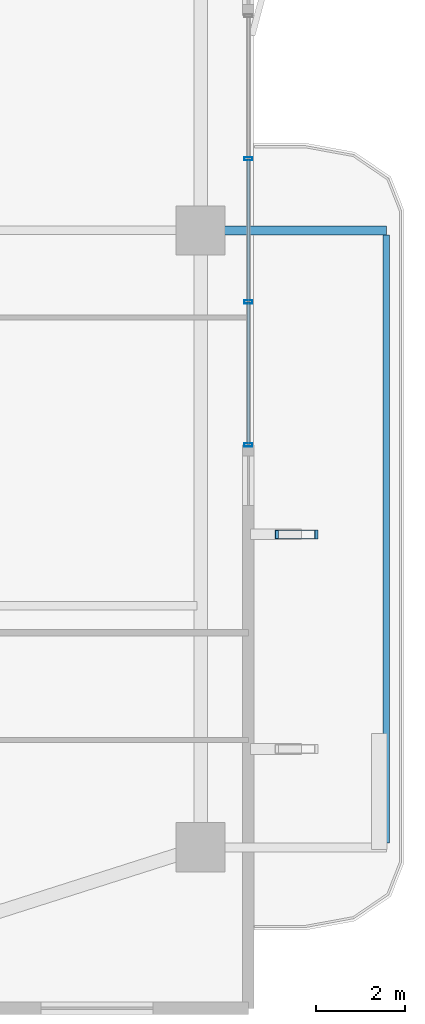
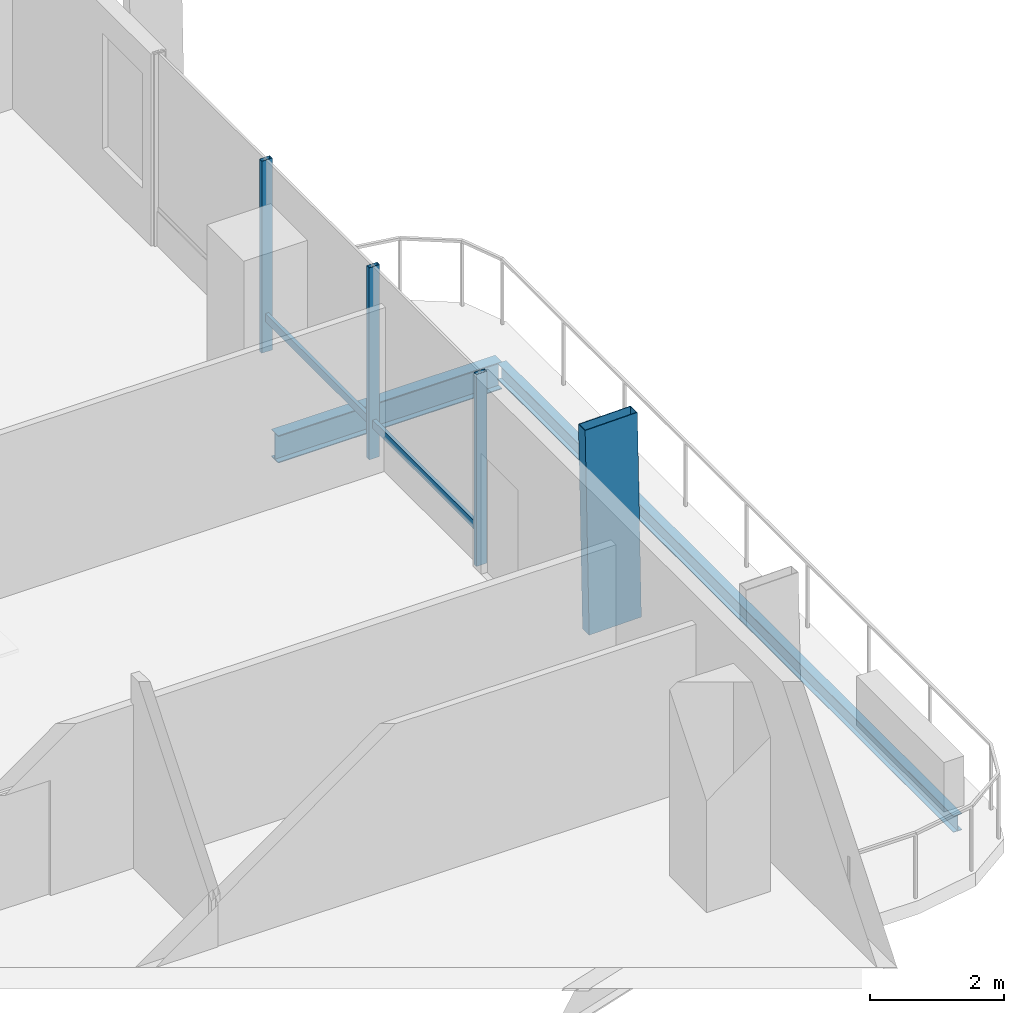
# One storey, part 10 of 25: 6 members, 2 beams, 1 element without a shape of its own.
"""IFC4 building model written with IfcOpenShell, lengths in metres."""

import ifcopenshell
import ifcopenshell.guid

model = None  # the IFC model being written
_history = None  # IfcOwnerHistory: only IFC2X3 demands one
_inside = {}  # id of a spatial element -> (the spatial element, [elements in it])
_under = {}  # id of a project, library or spatial element -> (it, [spatial elements below it])
_declared = {}  # id of a project -> (the project, [libraries it declares])
_typed = {}  # id of a type object -> (the type object, [elements of that type])
_made_of = {}  # id of a material, layer set ... -> (it, [elements and type objects made of it])


def new_model(schema):
    """Start an empty IFC model of exactly this schema.

    Asked for "IFC4X3", IfcOpenShell would pick the latest addendum, in which some entities
    have other attributes; the version numbers below select the first issue.
    IFC2X3 requires an IfcOwnerHistory on every rooted entity: one is made here for all.
    """
    global model, _history
    if schema == "IFC4X3":
        model = ifcopenshell.file(schema_version=(4, 3, 0, 0))
    else:
        model = ifcopenshell.file(schema=schema)
    _inside.clear()
    _under.clear()
    _declared.clear()
    _typed.clear()
    _made_of.clear()
    _history = None
    if model.schema == "IFC2X3":
        org = make("IfcOrganization", Name="unknown")
        user = make(
            "IfcPersonAndOrganization",
            ThePerson=make("IfcPerson", FamilyName="unknown"),
            TheOrganization=org,
        )
        app = make(
            "IfcApplication",
            ApplicationDeveloper=org,
            Version="unknown",
            ApplicationFullName="unknown",
            ApplicationIdentifier="unknown",
        )
        _history = make(
            "IfcOwnerHistory",
            OwningUser=user,
            OwningApplication=app,
            ChangeAction="ADDED",
            CreationDate=0,
        )
    return model


def make(cls, **values):
    """One entity of the class cls with the attributes given. An attribute that is None is left unset."""
    return model.create_entity(
        cls, **{name: value for name, value in values.items() if value is not None}
    )


def rooted(cls, **values):
    """An entity with a GlobalId (a new one), such as an element, a storey or a relation."""
    return make(cls, GlobalId=ifcopenshell.guid.new(), OwnerHistory=_history, **values)


def si_unit(unit_type, name, prefix=None):
    """IfcSIUnit, for example si_unit("LENGTHUNIT", "METRE", prefix="MILLI")."""
    return make("IfcSIUnit", UnitType=unit_type, Prefix=prefix, Name=name)


def assignment(units):
    """IfcUnitAssignment: the units of a project."""
    return None if units is None else make("IfcUnitAssignment", Units=units)


def point(xyz):
    """IfcCartesianPoint."""
    return None if xyz is None else make("IfcCartesianPoint", Coordinates=xyz)


def direction(xyz):
    """IfcDirection."""
    return None if xyz is None else make("IfcDirection", DirectionRatios=xyz)


def frame(location, z_axis=None, x_axis=None):
    """IfcAxis2Placement3D, a coordinate frame: its origin and axes. An axis left out is left unset."""
    return make(
        "IfcAxis2Placement3D",
        Location=point(location),
        Axis=direction(z_axis),
        RefDirection=direction(x_axis),
    )


def frame_2d(location, x_axis=None):
    """IfcAxis2Placement2D, a coordinate frame in the plane: its origin and x axis."""
    return make(
        "IfcAxis2Placement2D", Location=point(location), RefDirection=direction(x_axis)
    )


def origin():
    """The frame at (0, 0, 0) with its axes left unset."""
    return frame((0.0, 0.0, 0.0))


def origin_2d():
    """The frame at (0, 0) in the plane with its x axis left unset."""
    return frame_2d((0.0, 0.0))


def place(relative_to, where):
    """IfcLocalPlacement: puts the frame where relative to a parent placement (None: the world)."""
    return make(
        "IfcLocalPlacement", PlacementRelTo=relative_to, RelativePlacement=where
    )


def context(
    kind, dimensions, precision=None, world=None, true_north=None, identifier=None
):
    """IfcGeometricRepresentationContext, for example the 3D "Model" context."""
    return make(
        "IfcGeometricRepresentationContext",
        ContextIdentifier=identifier,
        ContextType=kind,
        CoordinateSpaceDimension=dimensions,
        Precision=precision,
        WorldCoordinateSystem=world,
        TrueNorth=true_north,
    )


def subcontext(parent, identifier, kind, view, scale=None):
    """IfcGeometricRepresentationSubContext, for example "Body" below "Model"."""
    return make(
        "IfcGeometricRepresentationSubContext",
        ContextIdentifier=identifier,
        ContextType=kind,
        ParentContext=parent,
        TargetScale=scale,
        TargetView=view,
    )


def project(units=None, contexts=None):
    """IfcProject with its units and contexts."""
    return rooted(
        "IfcProject",
        Name="project",
        RepresentationContexts=contexts,
        UnitsInContext=assignment(units),
    )


def spatial(cls, under=None, at=None, **own):
    """A site, building, storey or space (cls), placed at a placement, below another one or the project."""
    s = rooted(cls, ObjectPlacement=at, **own)
    if under is not None:
        _under.setdefault(under.id(), (under, []))[1].append(s)
    return s


def profile(cls, at=None, kind="AREA", **sizes):
    """A parametric profile (cls). Its sizes go by their IFC names, for example OverallWidth=200.0."""
    return make(cls, ProfileType=kind, Position=at, **sizes)


def hollow_rectangle(**sizes):
    """IfcRectangleHollowProfileDef."""
    return profile("IfcRectangleHollowProfileDef", **sizes)


def i_section(**sizes):
    """IfcIShapeProfileDef."""
    return profile("IfcIShapeProfileDef", **sizes)


def extrude(swept, where, along, depth):
    """IfcExtrudedAreaSolid: the profile swept, set in the frame where, extruded along a direction by depth."""
    return make(
        "IfcExtrudedAreaSolid",
        SweptArea=swept,
        Position=where,
        ExtrudedDirection=direction(along),
        Depth=depth,
    )


def shape(context_of_items, identifier, shape_type, items):
    """IfcShapeRepresentation: the items that make up one representation, for example the "Body"."""
    return make(
        "IfcShapeRepresentation",
        ContextOfItems=context_of_items,
        RepresentationIdentifier=identifier,
        RepresentationType=shape_type,
        Items=items,
    )


def material(Name=None, Category=None):
    """IfcMaterial."""
    return make("IfcMaterial", Name=Name, Category=Category)


def layer(
    of_material, thickness, ventilated=None, Name=None, Category=None, Priority=None
):
    """IfcMaterialLayer: one layer of a wall or slab, of a material (None: an air gap)."""
    return make(
        "IfcMaterialLayer",
        Material=of_material,
        LayerThickness=thickness,
        IsVentilated=ventilated,
        Name=Name,
        Category=Category,
        Priority=Priority,
    )


def layer_set(layers, Name=None):
    """IfcMaterialLayerSet."""
    return make("IfcMaterialLayerSet", MaterialLayers=layers, LayerSetName=Name)


def material_profile(
    of_material, cross_section, Name=None, Category=None, Priority=None
):
    """IfcMaterialProfile: a cross section and its material."""
    return make(
        "IfcMaterialProfile",
        Name=Name,
        Material=of_material,
        Profile=cross_section,
        Priority=Priority,
        Category=Category,
    )


def profile_set(profiles, Name=None, composite=None):
    """IfcMaterialProfileSet."""
    return make(
        "IfcMaterialProfileSet",
        Name=Name,
        MaterialProfiles=profiles,
        CompositeProfile=composite,
    )


def made_of(thing, what):
    """Note that an element or type object is made of a material, layer set ...; save() writes the relation."""
    if what is not None:
        _made_of.setdefault(what.id(), (what, []))[1].append(thing)
    return thing


def type_object(cls, material=None, **own):
    """A type object (cls), such as IfcWallType, which elements share."""
    return made_of(rooted(cls, **own), material)


def element(
    cls,
    number,
    at=None,
    inside=None,
    cuts=None,
    type_object=None,
    material=None,
    context=None,
    identifier="Body",
    shape_type=None,
    held_by="IfcProductDefinitionShape",
    body=None,
    shapes=None,
    **own,
):
    """One element of the class cls, such as IfcWall. Its Tag is "e" and its number.

    at: its placement. inside: the storey or other place that contains it. cuts: it is an
    opening in that element (IfcRelVoidsElement). A single representation is given by context,
    identifier, shape_type and body (its items); several are given by shapes. held_by: the class
    of the entity that holds the representations. save() writes the other relations.
    """
    e = rooted(cls, Tag="e%d" % number, ObjectPlacement=at, **own)
    if body is not None:
        shapes = [shape(context, identifier, shape_type, body)]
    if shapes is not None:
        e.Representation = make(held_by, Representations=shapes)
    if inside is not None:
        _inside.setdefault(inside.id(), (inside, []))[1].append(e)
    if cuts is not None:
        rooted(
            "IfcRelVoidsElement", RelatingBuildingElement=cuts, RelatedOpeningElement=e
        )
    if type_object is not None:
        _typed.setdefault(type_object.id(), (type_object, []))[1].append(e)
    return made_of(e, material)


def aggregate(whole, parts):
    """IfcRelAggregates: a whole, such as a stair, and the parts it consists of."""
    return rooted("IfcRelAggregates", RelatingObject=whole, RelatedObjects=parts)


def save(model, path):
    """Write the relations noted so far, then the file.

    IfcRelAggregates (storeys below a building ...), IfcRelContainedInSpatialStructure (elements
    in a storey), IfcRelDefinesByType, IfcRelAssociatesMaterial and IfcRelDeclares: one each for
    every whole, place, type object, material and project.
    """
    for whole, parts in _under.values():
        aggregate(whole, parts)
    for where, things in _inside.values():
        rooted(
            "IfcRelContainedInSpatialStructure",
            RelatedElements=things,
            RelatingStructure=where,
        )
    for kind, things in _typed.values():
        rooted("IfcRelDefinesByType", RelatedObjects=things, RelatingType=kind)
    for what, things in _made_of.values():
        rooted("IfcRelAssociatesMaterial", RelatedObjects=things, RelatingMaterial=what)
    for by, libraries in _declared.values():
        rooted("IfcRelDeclares", RelatingContext=by, RelatedDefinitions=libraries)
    model.write(path)


model = new_model("IFC4")

# Units and contexts
model_context = context("Model", 3, precision=1e-05, world=origin(), true_north=direction((0.0, 1.0)))
body_context = subcontext(model_context, "Body", "Model", "MODEL_VIEW")
ifc_project = project(units=[si_unit("LENGTHUNIT", "METRE"), si_unit("AREAUNIT", "SQUARE_METRE"), si_unit("VOLUMEUNIT", "CUBIC_METRE"), si_unit("PLANEANGLEUNIT", "RADIAN"), si_unit("MASSUNIT", "GRAM", prefix="KILO")], contexts=[model_context])

# Site, building, storey
site_placement = place(None, origin())
site = spatial("IfcSite", under=ifc_project, at=site_placement, CompositionType="ELEMENT")
building_placement = place(site_placement, origin())
building = spatial("IfcBuilding", under=site, at=building_placement, Name="Belovzor Exchange Tower", CompositionType="ELEMENT")
storey_placement = place(building_placement, frame((0.0, 0.0, 172.050048828125)))
storey = spatial("IfcBuildingStorey", under=building, at=storey_placement, Name="L42", CompositionType="ELEMENT", Elevation=172.050048828125)

# Beams
ifc_material_1 = material(Name="Steel S355", Category="steel")
ifc_material_profile_1 = material_profile(ifc_material_1, i_section(OverallWidth=0.199951171875, OverallDepth=0.5, WebThickness=0.01025390625, FlangeThickness=0.01611328125, at=origin_2d()))
ifc_profile_set_1 = profile_set([ifc_material_profile_1], Name="Steel S355")
beam_type_1 = type_object("IfcBeamType", Name="Planted Balcony Cantilever Beam IPE 500", PredefinedType="BEAM", material=ifc_profile_set_1)
beam_1_placement = place(storey_placement, frame((52.202880859375, 28.800048828125, -0.505126953125), z_axis=(1.0, 0.0, 0.0), x_axis=(0.0, 1.0, 0.0)))
element("IfcBeam", 1, at=beam_1_placement, inside=storey, type_object=beam_type_1, Name="BC-500 Planted Balcony Cantilever Beam IPE 500", PredefinedType="BEAM", context=body_context, shape_type="SweptSolid", body=[
    extrude(i_section(OverallWidth=0.199951171875, OverallDepth=0.5, WebThickness=0.01025390625, FlangeThickness=0.01611328125, at=origin_2d()), origin(), (0.0, 0.0, 1.0), 3.85009765625),
])
ifc_material_2 = material(Name="Steel S355", Category="steel")
ifc_material_profile_2 = material_profile(ifc_material_2, i_section(OverallWidth=0.14990234375, OverallDepth=0.300048828125, WebThickness=0.007080078125, FlangeThickness=0.0107421875, at=origin_2d()))
ifc_profile_set_2 = profile_set([ifc_material_profile_2], Name="Steel S355")
beam_type_2 = type_object("IfcBeamType", Name="Planted Balcony Fascia Edge Beam IPE 300", PredefinedType="BEAM", material=ifc_profile_set_2)
beam_2_placement = place(storey_placement, frame((56.052978515625, 15.10009765625, -0.405029296875), z_axis=(0.0, 1.0, 0.0), x_axis=(-1.0, 0.0, 0.0)))
element("IfcBeam", 2, at=beam_2_placement, inside=storey, type_object=beam_type_2, Name="BC-300 Planted Balcony Fascia Edge Beam IPE 300", PredefinedType="BEAM", context=body_context, shape_type="SweptSolid", body=[
    extrude(i_section(OverallWidth=0.14990234375, OverallDepth=0.300048828125, WebThickness=0.007080078125, FlangeThickness=0.0107421875, at=origin_2d()), origin(), (0.0, 0.0, 1.0), 13.599853515625),
])

# Member
ifc_material_3 = material(Name="Extruded Architectural Terracotta on Steel S355 Carrier", Category="masonry")
ifc_material_profile_3 = material_profile(ifc_material_3, hollow_rectangle(XDim=0.199951171875, YDim=0.89990234375, WallThickness=0.011962890625, at=origin_2d()))
ifc_profile_set_3 = profile_set([ifc_material_profile_3], Name="Extruded Architectural Terracotta on Steel S355 Carrier")
member_type_1 = type_object("IfcMemberType", Name="Sweeping Terracotta Baguette Fin Assembly 1250", PredefinedType="USERDEFINED", material=ifc_profile_set_3)
member_1_placement = place(storey_placement, frame((54.0810546875, 22.0, -0.255126953125), z_axis=(-0.018681635002, 0.0, 0.999825483029), x_axis=(0.0, -1.0, 0.0)))
element("IfcMember", 3, at=member_1_placement, inside=storey, type_object=member_type_1, Name="FIN-TC125 Terracotta Facade Fin L42 E2", ObjectType="FIN", PredefinedType="USERDEFINED", context=body_context, shape_type="SweptSolid", body=[
    extrude(hollow_rectangle(XDim=0.199951171875, YDim=0.89990234375, WallThickness=0.011962890625, at=origin_2d()), origin(), (0.0, 0.0, 1.0), 3.750732421875),
])

# Curtain wall, members
ifc_material_4 = material(Name="Anodised Aluminium Framing", Category="aluminium")
ifc_layer = layer(ifc_material_4, 0.179931640625)
ifc_layer_set = layer_set([ifc_layer], Name="Anodised Aluminium Framing")
curtain_wall_type = type_object("IfcCurtainWallType", Name="Recessed Loggia Low-Iron Triple-Glazed Curtain Wall", PredefinedType="NOTDEFINED", material=ifc_layer_set)
curtain_wall_placement = place(storey_placement, origin())
curtain_wall = element("IfcCurtainWall", 4, at=curtain_wall_placement, inside=storey, type_object=curtain_wall_type, Name="CW3 Recessed Loggia Low-Iron Triple-Glazed Curtain Wall L42", PredefinedType="NOTDEFINED")
ifc_material_5 = material(Name="Steel S355", Category="steel")
ifc_material_profile_4 = material_profile(ifc_material_5, hollow_rectangle(XDim=0.074951171875, YDim=0.179931640625, WallThickness=0.0048828125, at=origin_2d()))
ifc_profile_set_4 = profile_set([ifc_material_profile_4], Name="Steel S355")
member_type_2 = type_object("IfcMemberType", Name="Thermally Broken Curtain Wall Mullion 180x75", PredefinedType="MULLION", material=ifc_profile_set_4)
member_2_placement = place(storey_placement, frame((52.969970703125, 30.39990234375, 0.0), z_axis=(0.0, 0.0, 1.0), x_axis=(0.0, -1.0, 0.0)))
member_2 = element("IfcMember", 5, at=member_2_placement, type_object=member_type_2, Name="CW-M180 Curtain Wall Mullion 2", PredefinedType="MULLION", context=body_context, shape_type="SweptSolid", body=[
    extrude(hollow_rectangle(XDim=0.074951171875, YDim=0.179931640625, WallThickness=0.0048828125, at=origin_2d()), origin(), (0.0, 0.0, 1.0), 3.494873046875),
])
member_3_placement = place(storey_placement, frame((52.969970703125, 27.199951171875, 0.0), z_axis=(0.0, 0.0, 1.0), x_axis=(0.0, -1.0, 0.0)))
member_3 = element("IfcMember", 6, at=member_3_placement, type_object=member_type_2, Name="CW-M180 Curtain Wall Mullion 3", PredefinedType="MULLION", context=body_context, shape_type="SweptSolid", body=[
    extrude(hollow_rectangle(XDim=0.074951171875, YDim=0.179931640625, WallThickness=0.0048828125, at=origin_2d()), origin(), (0.0, 0.0, 1.0), 3.494873046875),
])
member_4_placement = place(storey_placement, frame((52.969970703125, 24.0, 0.0), z_axis=(0.0, 0.0, 1.0), x_axis=(0.0, -1.0, 0.0)))
member_4 = element("IfcMember", 7, at=member_4_placement, type_object=member_type_2, Name="CW-M180 Curtain Wall Mullion 4", PredefinedType="MULLION", context=body_context, shape_type="SweptSolid", body=[
    extrude(hollow_rectangle(XDim=0.074951171875, YDim=0.179931640625, WallThickness=0.0048828125, at=origin_2d()), origin(), (0.0, 0.0, 1.0), 3.494873046875),
])
ifc_material_6 = material(Name="Steel S355", Category="steel")
ifc_material_profile_5 = material_profile(ifc_material_6, hollow_rectangle(XDim=0.06005859375, YDim=0.14990234375, WallThickness=0.00390625, at=origin_2d()))
ifc_profile_set_5 = profile_set([ifc_material_profile_5], Name="Steel S355")
member_type_3 = type_object("IfcMemberType", Name="Thermally Broken Curtain Wall Transom 150x60", PredefinedType="USERDEFINED", material=ifc_profile_set_5)
member_5_placement = place(storey_placement, frame((52.969970703125, 30.39208984375, 0.62890625), z_axis=(0.0, -1.0, 0.0), x_axis=(1.0, 0.0, 0.0)))
member_5 = element("IfcMember", 8, at=member_5_placement, type_object=member_type_3, Name="CW-T150 Curtain Wall Transom 2", ObjectType="TRANSOM", PredefinedType="USERDEFINED", context=body_context, shape_type="SweptSolid", body=[
    extrude(hollow_rectangle(XDim=0.06005859375, YDim=0.14990234375, WallThickness=0.00390625, at=origin_2d()), origin(), (0.0, 0.0, 1.0), 3.18408203125),
])
member_6_placement = place(storey_placement, frame((52.969970703125, 27.19189453125, 0.62890625), z_axis=(0.0, -1.0, 0.0), x_axis=(1.0, 0.0, 0.0)))
member_6 = element("IfcMember", 9, at=member_6_placement, type_object=member_type_3, Name="CW-T150 Curtain Wall Transom 3", ObjectType="TRANSOM", PredefinedType="USERDEFINED", context=body_context, shape_type="SweptSolid", body=[
    extrude(hollow_rectangle(XDim=0.06005859375, YDim=0.14990234375, WallThickness=0.00390625, at=origin_2d()), origin(), (0.0, 0.0, 1.0), 3.183837890625),
])
aggregate(curtain_wall, [member_2, member_3, member_4, member_5, member_6])

save(model, "model.ifc")
